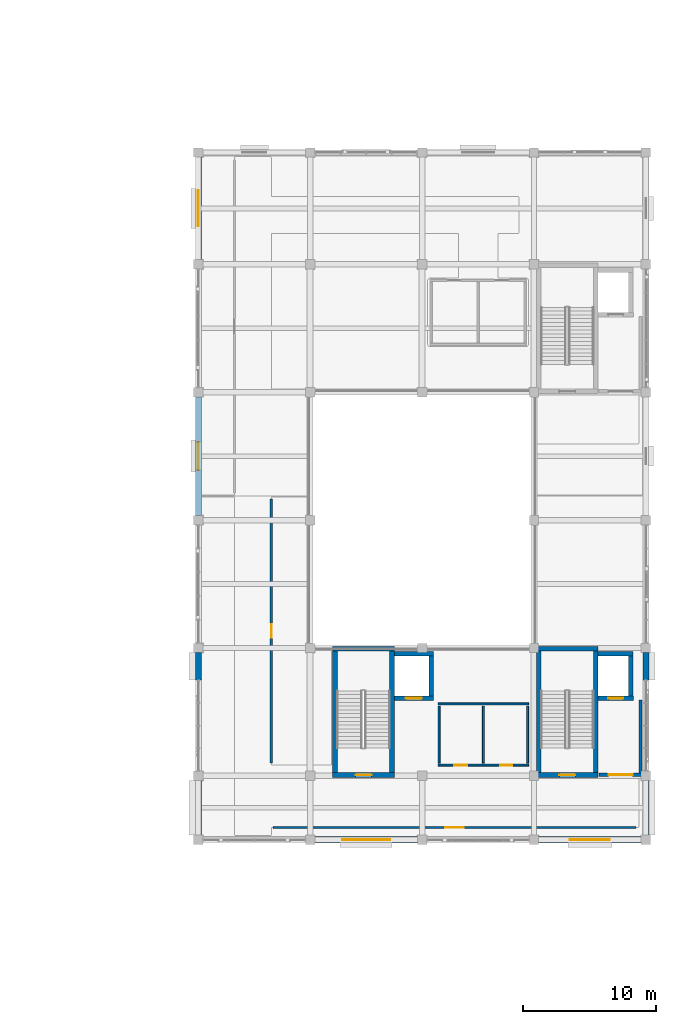
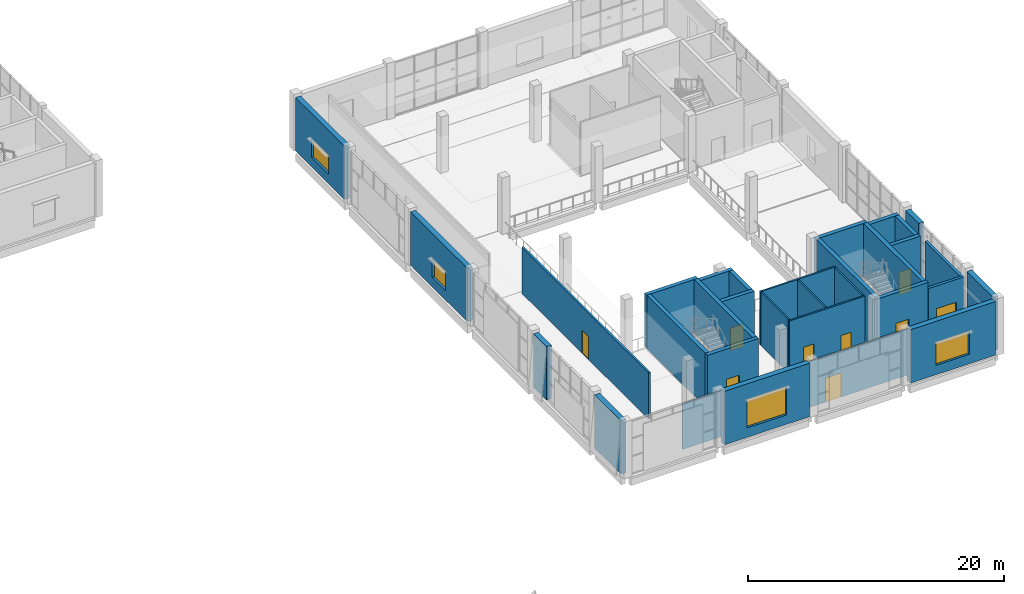
# One storey, part 50 of 72: 31 walls, 9 doors, 4 windows, 13 openings.
"""IFC4 building model written with IfcOpenShell, lengths in metres."""

import ifcopenshell
import ifcopenshell.guid

model = None  # the IFC model being written
_history = None  # IfcOwnerHistory: only IFC2X3 demands one
_inside = {}  # id of a spatial element -> (the spatial element, [elements in it])
_under = {}  # id of a project, library or spatial element -> (it, [spatial elements below it])
_declared = {}  # id of a project -> (the project, [libraries it declares])
_typed = {}  # id of a type object -> (the type object, [elements of that type])
_made_of = {}  # id of a material, layer set ... -> (it, [elements and type objects made of it])


def new_model(schema):
    """Start an empty IFC model of exactly this schema.

    Asked for "IFC4X3", IfcOpenShell would pick the latest addendum, in which some entities
    have other attributes; the version numbers below select the first issue.
    IFC2X3 requires an IfcOwnerHistory on every rooted entity: one is made here for all.
    """
    global model, _history
    if schema == "IFC4X3":
        model = ifcopenshell.file(schema_version=(4, 3, 0, 0))
    else:
        model = ifcopenshell.file(schema=schema)
    _inside.clear()
    _under.clear()
    _declared.clear()
    _typed.clear()
    _made_of.clear()
    _history = None
    if model.schema == "IFC2X3":
        org = make("IfcOrganization", Name="unknown")
        user = make(
            "IfcPersonAndOrganization",
            ThePerson=make("IfcPerson", FamilyName="unknown"),
            TheOrganization=org,
        )
        app = make(
            "IfcApplication",
            ApplicationDeveloper=org,
            Version="unknown",
            ApplicationFullName="unknown",
            ApplicationIdentifier="unknown",
        )
        _history = make(
            "IfcOwnerHistory",
            OwningUser=user,
            OwningApplication=app,
            ChangeAction="ADDED",
            CreationDate=0,
        )
    return model


def make(cls, **values):
    """One entity of the class cls with the attributes given. An attribute that is None is left unset."""
    return model.create_entity(
        cls, **{name: value for name, value in values.items() if value is not None}
    )


def rooted(cls, **values):
    """An entity with a GlobalId (a new one), such as an element, a storey or a relation."""
    return make(cls, GlobalId=ifcopenshell.guid.new(), OwnerHistory=_history, **values)


def si_unit(unit_type, name, prefix=None):
    """IfcSIUnit, for example si_unit("LENGTHUNIT", "METRE", prefix="MILLI")."""
    return make("IfcSIUnit", UnitType=unit_type, Prefix=prefix, Name=name)


def assignment(units):
    """IfcUnitAssignment: the units of a project."""
    return None if units is None else make("IfcUnitAssignment", Units=units)


def point(xyz):
    """IfcCartesianPoint."""
    return None if xyz is None else make("IfcCartesianPoint", Coordinates=xyz)


def direction(xyz):
    """IfcDirection."""
    return None if xyz is None else make("IfcDirection", DirectionRatios=xyz)


def frame(location, z_axis=None, x_axis=None):
    """IfcAxis2Placement3D, a coordinate frame: its origin and axes. An axis left out is left unset."""
    return make(
        "IfcAxis2Placement3D",
        Location=point(location),
        Axis=direction(z_axis),
        RefDirection=direction(x_axis),
    )


def frame_2d(location, x_axis=None):
    """IfcAxis2Placement2D, a coordinate frame in the plane: its origin and x axis."""
    return make(
        "IfcAxis2Placement2D", Location=point(location), RefDirection=direction(x_axis)
    )


def origin():
    """The frame at (0, 0, 0) with its axes left unset."""
    return frame((0.0, 0.0, 0.0))


def place(relative_to, where):
    """IfcLocalPlacement: puts the frame where relative to a parent placement (None: the world)."""
    return make(
        "IfcLocalPlacement", PlacementRelTo=relative_to, RelativePlacement=where
    )


def context(
    kind, dimensions, precision=None, world=None, true_north=None, identifier=None
):
    """IfcGeometricRepresentationContext, for example the 3D "Model" context."""
    return make(
        "IfcGeometricRepresentationContext",
        ContextIdentifier=identifier,
        ContextType=kind,
        CoordinateSpaceDimension=dimensions,
        Precision=precision,
        WorldCoordinateSystem=world,
        TrueNorth=true_north,
    )


def subcontext(parent, identifier, kind, view, scale=None):
    """IfcGeometricRepresentationSubContext, for example "Body" below "Model"."""
    return make(
        "IfcGeometricRepresentationSubContext",
        ContextIdentifier=identifier,
        ContextType=kind,
        ParentContext=parent,
        TargetScale=scale,
        TargetView=view,
    )


def project(units=None, contexts=None):
    """IfcProject with its units and contexts."""
    return rooted(
        "IfcProject",
        Name="project",
        RepresentationContexts=contexts,
        UnitsInContext=assignment(units),
    )


def spatial(cls, under=None, at=None, **own):
    """A site, building, storey or space (cls), placed at a placement, below another one or the project."""
    s = rooted(cls, ObjectPlacement=at, **own)
    if under is not None:
        _under.setdefault(under.id(), (under, []))[1].append(s)
    return s


def profile(cls, at=None, kind="AREA", **sizes):
    """A parametric profile (cls). Its sizes go by their IFC names, for example OverallWidth=200.0."""
    return make(cls, ProfileType=kind, Position=at, **sizes)


def rectangle(**sizes):
    """IfcRectangleProfileDef."""
    return profile("IfcRectangleProfileDef", **sizes)


def extrude(swept, where, along, depth):
    """IfcExtrudedAreaSolid: the profile swept, set in the frame where, extruded along a direction by depth."""
    return make(
        "IfcExtrudedAreaSolid",
        SweptArea=swept,
        Position=where,
        ExtrudedDirection=direction(along),
        Depth=depth,
    )


def shape(context_of_items, identifier, shape_type, items):
    """IfcShapeRepresentation: the items that make up one representation, for example the "Body"."""
    return make(
        "IfcShapeRepresentation",
        ContextOfItems=context_of_items,
        RepresentationIdentifier=identifier,
        RepresentationType=shape_type,
        Items=items,
    )


def material(Name=None, Category=None):
    """IfcMaterial."""
    return make("IfcMaterial", Name=Name, Category=Category)


def layer(
    of_material, thickness, ventilated=None, Name=None, Category=None, Priority=None
):
    """IfcMaterialLayer: one layer of a wall or slab, of a material (None: an air gap)."""
    return make(
        "IfcMaterialLayer",
        Material=of_material,
        LayerThickness=thickness,
        IsVentilated=ventilated,
        Name=Name,
        Category=Category,
        Priority=Priority,
    )


def layer_set(layers, Name=None):
    """IfcMaterialLayerSet."""
    return make("IfcMaterialLayerSet", MaterialLayers=layers, LayerSetName=Name)


def made_of(thing, what):
    """Note that an element or type object is made of a material, layer set ...; save() writes the relation."""
    if what is not None:
        _made_of.setdefault(what.id(), (what, []))[1].append(thing)
    return thing


def type_object(cls, material=None, **own):
    """A type object (cls), such as IfcWallType, which elements share."""
    return made_of(rooted(cls, **own), material)


def element(
    cls,
    number,
    at=None,
    inside=None,
    cuts=None,
    type_object=None,
    material=None,
    context=None,
    identifier="Body",
    shape_type=None,
    held_by="IfcProductDefinitionShape",
    body=None,
    shapes=None,
    **own,
):
    """One element of the class cls, such as IfcWall. Its Tag is "e" and its number.

    at: its placement. inside: the storey or other place that contains it. cuts: it is an
    opening in that element (IfcRelVoidsElement). A single representation is given by context,
    identifier, shape_type and body (its items); several are given by shapes. held_by: the class
    of the entity that holds the representations. save() writes the other relations.
    """
    e = rooted(cls, Tag="e%d" % number, ObjectPlacement=at, **own)
    if body is not None:
        shapes = [shape(context, identifier, shape_type, body)]
    if shapes is not None:
        e.Representation = make(held_by, Representations=shapes)
    if inside is not None:
        _inside.setdefault(inside.id(), (inside, []))[1].append(e)
    if cuts is not None:
        rooted(
            "IfcRelVoidsElement", RelatingBuildingElement=cuts, RelatedOpeningElement=e
        )
    if type_object is not None:
        _typed.setdefault(type_object.id(), (type_object, []))[1].append(e)
    return made_of(e, material)


def fill(opening, filler):
    """IfcRelFillsElement: the door or window that sits in an opening."""
    return rooted(
        "IfcRelFillsElement",
        RelatingOpeningElement=opening,
        RelatedBuildingElement=filler,
    )


def aggregate(whole, parts):
    """IfcRelAggregates: a whole, such as a stair, and the parts it consists of."""
    return rooted("IfcRelAggregates", RelatingObject=whole, RelatedObjects=parts)


def save(model, path):
    """Write the relations noted so far, then the file.

    IfcRelAggregates (storeys below a building ...), IfcRelContainedInSpatialStructure (elements
    in a storey), IfcRelDefinesByType, IfcRelAssociatesMaterial and IfcRelDeclares: one each for
    every whole, place, type object, material and project.
    """
    for whole, parts in _under.values():
        aggregate(whole, parts)
    for where, things in _inside.values():
        rooted(
            "IfcRelContainedInSpatialStructure",
            RelatedElements=things,
            RelatingStructure=where,
        )
    for kind, things in _typed.values():
        rooted("IfcRelDefinesByType", RelatedObjects=things, RelatingType=kind)
    for what, things in _made_of.values():
        rooted("IfcRelAssociatesMaterial", RelatedObjects=things, RelatingMaterial=what)
    for by, libraries in _declared.values():
        rooted("IfcRelDeclares", RelatingContext=by, RelatedDefinitions=libraries)
    model.write(path)


model = new_model("IFC4")

# Units and contexts
model_context = context("Model", 3, precision=1e-05, world=origin(), true_north=direction((0.0, 1.0)))
body_context = subcontext(model_context, "Body", "Model", "MODEL_VIEW")
ifc_project = project(units=[si_unit("LENGTHUNIT", "METRE"), si_unit("AREAUNIT", "SQUARE_METRE"), si_unit("VOLUMEUNIT", "CUBIC_METRE"), si_unit("PLANEANGLEUNIT", "RADIAN"), si_unit("MASSUNIT", "GRAM", prefix="KILO")], contexts=[model_context])

# Site, building, storey
site_placement = place(None, origin())
site = spatial("IfcSite", under=ifc_project, at=site_placement, CompositionType="ELEMENT")
building_placement = place(site_placement, origin())
building = spatial("IfcBuilding", under=site, at=building_placement, Name="Shalvenor Court Art Gallery", CompositionType="ELEMENT")
storey_placement = place(building_placement, frame((0.0, 0.0, 11.39990234375)))
storey = spatial("IfcBuildingStorey", under=building, at=storey_placement, Name="L02", CompositionType="ELEMENT", Elevation=11.39990234375)

# Walls
ifc_material_1 = material(Name="Concrete C40/50", Category="concrete")
ifc_layer_1 = layer(ifc_material_1, 0.35009765625, Name="Concrete C40/50")
ifc_layer_set_1 = layer_set([ifc_layer_1], Name="Concrete C40/50")
wall_type_1 = type_object("IfcWallType", Name="CW-W1", PredefinedType="SHEAR", material=ifc_layer_set_1)
wall_1_placement = place(storey_placement, frame((168.18798828125, 59.93701171875, 0.0), z_axis=(0.0, 0.0, 1.0), x_axis=(1.0, 0.0, 0.0)))
element("IfcWall", 1, at=wall_1_placement, inside=storey, type_object=wall_type_1, Name="L02 C2 Stair Core Shear Wall N", PredefinedType="SHEAR", context=body_context, shape_type="SweptSolid", body=[
    extrude(rectangle(XDim=4.6240234375, YDim=0.35009765625, at=frame_2d((2.31201171875, 0.0))), origin(), (0.0, 0.0, 1.0), 5.10009765625),
])
wall_2_placement = place(storey_placement, frame((172.636962890625, 59.761962890625, 0.0), z_axis=(0.0, 0.0, 1.0), x_axis=(0.0, -1.0, 0.0)))
element("IfcWall", 2, at=wall_2_placement, inside=storey, type_object=wall_type_1, Name="L02 C2 Stair Core Shear Wall E", PredefinedType="SHEAR", context=body_context, shape_type="SweptSolid", body=[
    extrude(rectangle(XDim=9.1240234375, YDim=0.35009765625, at=frame_2d((4.56201171875, 0.0))), origin(), (0.0, 0.0, 1.0), 5.10009765625),
])

# Wall, opening, door
wall_3_placement = place(storey_placement, frame((172.81201171875, 50.462890625, 0.0), z_axis=(0.0, 0.0, 1.0), x_axis=(-1.0, 0.0, 0.0)))
wall_3 = element("IfcWall", 3, at=wall_3_placement, inside=storey, type_object=wall_type_1, Name="L02 C2 Stair Core Shear Wall S", PredefinedType="SHEAR", context=body_context, shape_type="SweptSolid", body=[
    extrude(rectangle(XDim=4.6240234375, YDim=0.35009765625, at=frame_2d((2.31201171875, 0.0))), origin(), (0.0, 0.0, 1.0), 5.10009765625),
])
opening_1_placement = place(wall_3_placement, frame((1.7119140625, 0.0, 0.0)))
opening_1 = element("IfcOpeningElement", 4, at=opening_1_placement, cuts=wall_3, Name="Opening FD-01", PredefinedType="OPENING", context=body_context, shape_type="SweptSolid", body=[
    extrude(rectangle(XDim=1.199951171875, YDim=2.199951171875, at=frame_2d((0.60009765625, 1.10009765625))), frame((0.0, 0.18505859375, 0.0), z_axis=(0.0, -1.0, 0.0), x_axis=(1.0, 0.0, 0.0)), (0.0, 0.0, 1.0), 0.3701171875),
])
ifc_material_2 = material(Name="Fire-rated steel stair doorset", Category="steel")
door_type_1 = type_object("IfcDoorType", Name="FD-01", OperationType="NOTDEFINED", PredefinedType="DOOR", material=ifc_material_2)
door_1_placement = place(opening_1_placement, origin())
door_1 = element("IfcDoor", 5, at=door_1_placement, inside=storey, type_object=door_type_1, Name="DR-ST-L02-C2 L02 ST-02 Fire Stair Door", OperationType="SINGLE_SWING_RIGHT", OverallHeight=2.199951171875, OverallWidth=1.199951171875, PredefinedType="DOOR", context=body_context, shape_type="SweptSolid", body=[
    extrude(rectangle(XDim=1.199951171875, YDim=2.199951171875, at=frame_2d((0.60009765625, 1.10009765625))), frame((0.0, 0.02490234375, 0.0), z_axis=(0.0, -1.0, 0.0), x_axis=(1.0, 0.0, 0.0)), (0.0, 0.0, 1.0), 0.050048828125),
])
fill(opening_1, door_1)

# Walls
wall_4_placement = place(storey_placement, frame((168.363037109375, 50.637939453125, 0.0), z_axis=(0.0, 0.0, 1.0), x_axis=(0.0, 1.0, 0.0)))
element("IfcWall", 6, at=wall_4_placement, inside=storey, type_object=wall_type_1, Name="L02 C2 Stair Core Shear Wall W", PredefinedType="SHEAR", context=body_context, shape_type="SweptSolid", body=[
    extrude(rectangle(XDim=9.1240234375, YDim=0.35009765625, at=frame_2d((4.56201171875, 0.0))), origin(), (0.0, 0.0, 1.0), 5.10009765625),
])
wall_5_placement = place(storey_placement, frame((172.81201171875, 59.574951171875, 0.0), z_axis=(0.0, 0.0, 1.0), x_axis=(1.0, 0.0, 0.0)))
element("IfcWall", 7, at=wall_5_placement, inside=storey, type_object=wall_type_1, Name="L02 FL-02 Lift Shaft Wall N", PredefinedType="SHEAR", context=body_context, shape_type="SweptSolid", body=[
    extrude(rectangle(XDim=2.637939453125, YDim=0.35009765625, at=frame_2d((1.31884765625, 0.0))), origin(), (0.0, 0.0, 1.0), 5.10009765625),
])
wall_6_placement = place(storey_placement, frame((175.27490234375, 59.39990234375, 0.0), z_axis=(0.0, 0.0, 1.0), x_axis=(0.0, -1.0, 0.0)))
element("IfcWall", 8, at=wall_6_placement, inside=storey, type_object=wall_type_1, Name="L02 FL-02 Lift Shaft Wall E", PredefinedType="SHEAR", context=body_context, shape_type="SweptSolid", body=[
    extrude(rectangle(XDim=3.0, YDim=0.35009765625, at=frame_2d((1.5, 0.0))), origin(), (0.0, 0.0, 1.0), 5.10009765625),
])

# Wall, opening, door
wall_7_placement = place(storey_placement, frame((175.449951171875, 56.22509765625, 0.0), z_axis=(0.0, 0.0, 1.0), x_axis=(-1.0, 0.0, 0.0)))
wall_7 = element("IfcWall", 9, at=wall_7_placement, inside=storey, type_object=wall_type_1, Name="L02 FL-02 Lift Shaft Wall S", PredefinedType="SHEAR", context=body_context, shape_type="SweptSolid", body=[
    extrude(rectangle(XDim=2.637939453125, YDim=0.35009765625, at=frame_2d((1.31884765625, 0.0))), origin(), (0.0, 0.0, 1.0), 5.10009765625),
])
opening_2_placement = place(wall_7_placement, frame((0.76904296875, 0.0, 0.0)))
opening_2 = element("IfcOpeningElement", 10, at=opening_2_placement, cuts=wall_7, Name="Opening LD-01", PredefinedType="OPENING", context=body_context, shape_type="SweptSolid", body=[
    extrude(rectangle(XDim=1.10009765625, YDim=2.199951171875, at=frame_2d((0.550048828125, 1.10009765625))), frame((0.0, 0.18505859375, 0.0), z_axis=(0.0, -1.0, 0.0), x_axis=(1.0, 0.0, 0.0)), (0.0, 0.0, 1.0), 0.3701171875),
])
ifc_material_3 = material(Name="Stainless steel firefighting lift sliding landing door", Category="steel")
door_type_2 = type_object("IfcDoorType", Name="LD-01", OperationType="NOTDEFINED", PredefinedType="DOOR", material=ifc_material_3)
door_2_placement = place(opening_2_placement, origin())
door_2 = element("IfcDoor", 11, at=door_2_placement, inside=storey, type_object=door_type_2, Name="DR-LD-L02-FL-02 L02 FL-02 Lift Landing Sliding Door", OperationType="DOUBLE_DOOR_SLIDING", OverallHeight=2.199951171875, OverallWidth=1.10009765625, PredefinedType="DOOR", context=body_context, shape_type="SweptSolid", body=[
    extrude(rectangle(XDim=1.10009765625, YDim=2.199951171875, at=frame_2d((0.550048828125, 1.10009765625))), frame((0.0, 0.02490234375, 0.0), z_axis=(0.0, -1.0, 0.0), x_axis=(1.0, 0.0, 0.0)), (0.0, 0.0, 1.0), 0.050048828125),
])
fill(opening_2, door_2)

# Walls
wall_8_placement = place(storey_placement, frame((152.887939453125, 59.93701171875, 0.0), z_axis=(0.0, 0.0, 1.0), x_axis=(1.0, 0.0, 0.0)))
element("IfcWall", 12, at=wall_8_placement, inside=storey, type_object=wall_type_1, Name="L02 C3 Stair Core Shear Wall N", PredefinedType="SHEAR", context=body_context, shape_type="SweptSolid", body=[
    extrude(rectangle(XDim=4.6240234375, YDim=0.35009765625, at=frame_2d((2.31201171875, 0.0))), origin(), (0.0, 0.0, 1.0), 5.10009765625),
])
wall_9_placement = place(storey_placement, frame((157.3369140625, 59.761962890625, 0.0), z_axis=(0.0, 0.0, 1.0), x_axis=(0.0, -1.0, 0.0)))
element("IfcWall", 13, at=wall_9_placement, inside=storey, type_object=wall_type_1, Name="L02 C3 Stair Core Shear Wall E", PredefinedType="SHEAR", context=body_context, shape_type="SweptSolid", body=[
    extrude(rectangle(XDim=9.1240234375, YDim=0.35009765625, at=frame_2d((4.56201171875, 0.0))), origin(), (0.0, 0.0, 1.0), 5.10009765625),
])

# Wall, opening, door
wall_10_placement = place(storey_placement, frame((157.511962890625, 50.462890625, 0.0), z_axis=(0.0, 0.0, 1.0), x_axis=(-1.0, 0.0, 0.0)))
wall_10 = element("IfcWall", 14, at=wall_10_placement, inside=storey, type_object=wall_type_1, Name="L02 C3 Stair Core Shear Wall S", PredefinedType="SHEAR", context=body_context, shape_type="SweptSolid", body=[
    extrude(rectangle(XDim=4.6240234375, YDim=0.35009765625, at=frame_2d((2.31201171875, 0.0))), origin(), (0.0, 0.0, 1.0), 5.10009765625),
])
opening_3_placement = place(wall_10_placement, frame((1.7119140625, 0.0, 0.0)))
opening_3 = element("IfcOpeningElement", 15, at=opening_3_placement, cuts=wall_10, Name="Opening FD-01", PredefinedType="OPENING", context=body_context, shape_type="SweptSolid", body=[
    extrude(rectangle(XDim=1.199951171875, YDim=2.199951171875, at=frame_2d((0.60009765625, 1.10009765625))), frame((0.0, 0.18505859375, 0.0), z_axis=(0.0, -1.0, 0.0), x_axis=(1.0, 0.0, 0.0)), (0.0, 0.0, 1.0), 0.3701171875),
])
door_3_placement = place(opening_3_placement, origin())
door_3 = element("IfcDoor", 16, at=door_3_placement, inside=storey, type_object=door_type_1, Name="DR-ST-L02-C3 L02 ST-03 Fire Stair Door", OperationType="SINGLE_SWING_LEFT", OverallHeight=2.199951171875, OverallWidth=1.199951171875, PredefinedType="DOOR", context=body_context, shape_type="SweptSolid", body=[
    extrude(rectangle(XDim=1.199951171875, YDim=2.199951171875, at=frame_2d((0.60009765625, 1.10009765625))), frame((0.0, 0.02490234375, 0.0), z_axis=(0.0, -1.0, 0.0), x_axis=(1.0, 0.0, 0.0)), (0.0, 0.0, 1.0), 0.050048828125),
])
fill(opening_3, door_3)

# Walls
wall_11_placement = place(storey_placement, frame((153.06298828125, 50.637939453125, 0.0), z_axis=(0.0, 0.0, 1.0), x_axis=(0.0, 1.0, 0.0)))
element("IfcWall", 17, at=wall_11_placement, inside=storey, type_object=wall_type_1, Name="L02 C3 Stair Core Shear Wall W", PredefinedType="SHEAR", context=body_context, shape_type="SweptSolid", body=[
    extrude(rectangle(XDim=9.1240234375, YDim=0.35009765625, at=frame_2d((4.56201171875, 0.0))), origin(), (0.0, 0.0, 1.0), 5.10009765625),
])
wall_12_placement = place(storey_placement, frame((157.511962890625, 59.574951171875, 0.0), z_axis=(0.0, 0.0, 1.0), x_axis=(1.0, 0.0, 0.0)))
element("IfcWall", 18, at=wall_12_placement, inside=storey, type_object=wall_type_1, Name="L02 PL-01 Lift Shaft Wall N", PredefinedType="SHEAR", context=body_context, shape_type="SweptSolid", body=[
    extrude(rectangle(XDim=2.93798828125, YDim=0.35009765625, at=frame_2d((1.468994140625, 0.0))), origin(), (0.0, 0.0, 1.0), 5.10009765625),
])
wall_13_placement = place(storey_placement, frame((160.27490234375, 59.39990234375, 0.0), z_axis=(0.0, 0.0, 1.0), x_axis=(0.0, -1.0, 0.0)))
element("IfcWall", 19, at=wall_13_placement, inside=storey, type_object=wall_type_1, Name="L02 PL-01 Lift Shaft Wall E", PredefinedType="SHEAR", context=body_context, shape_type="SweptSolid", body=[
    extrude(rectangle(XDim=3.0, YDim=0.35009765625, at=frame_2d((1.5, 0.0))), origin(), (0.0, 0.0, 1.0), 5.10009765625),
])

# Wall, opening, door
wall_14_placement = place(storey_placement, frame((160.449951171875, 56.22509765625, 0.0), z_axis=(0.0, 0.0, 1.0), x_axis=(-1.0, 0.0, 0.0)))
wall_14 = element("IfcWall", 20, at=wall_14_placement, inside=storey, type_object=wall_type_1, Name="L02 PL-01 Lift Shaft Wall S", PredefinedType="SHEAR", context=body_context, shape_type="SweptSolid", body=[
    extrude(rectangle(XDim=2.93798828125, YDim=0.35009765625, at=frame_2d((1.468994140625, 0.0))), origin(), (0.0, 0.0, 1.0), 5.10009765625),
])
opening_4_placement = place(wall_14_placement, frame((0.868896484375, 0.0, 0.0)))
opening_4 = element("IfcOpeningElement", 21, at=opening_4_placement, cuts=wall_14, Name="Opening LD-02", PredefinedType="OPENING", context=body_context, shape_type="SweptSolid", body=[
    extrude(rectangle(XDim=1.199951171875, YDim=2.199951171875, at=frame_2d((0.60009765625, 1.10009765625))), frame((0.0, 0.18505859375, 0.0), z_axis=(0.0, -1.0, 0.0), x_axis=(1.0, 0.0, 0.0)), (0.0, 0.0, 1.0), 0.3701171875),
])
ifc_material_4 = material(Name="Brushed stainless passenger lift sliding landing door", Category="steel")
door_type_3 = type_object("IfcDoorType", Name="LD-02", OperationType="NOTDEFINED", PredefinedType="DOOR", material=ifc_material_4)
door_4_placement = place(opening_4_placement, origin())
door_4 = element("IfcDoor", 22, at=door_4_placement, inside=storey, type_object=door_type_3, Name="DR-LD-L02-PL-01 L02 PL-01 Lift Landing Sliding Door", OperationType="DOUBLE_DOOR_SLIDING", OverallHeight=2.199951171875, OverallWidth=1.199951171875, PredefinedType="DOOR", context=body_context, shape_type="SweptSolid", body=[
    extrude(rectangle(XDim=1.199951171875, YDim=2.199951171875, at=frame_2d((0.60009765625, 1.10009765625))), frame((0.0, 0.02490234375, 0.0), z_axis=(0.0, -1.0, 0.0), x_axis=(1.0, 0.0, 0.0)), (0.0, 0.0, 1.0), 0.050048828125),
])
fill(opening_4, door_4)

# Walls
ifc_material_5 = material(Name="Concrete C40/50", Category="concrete")
ifc_layer_2 = layer(ifc_material_5, 0.4599609375, Name="Concrete C40/50")
ifc_layer_set_2 = layer_set([ifc_layer_2], Name="Concrete C40/50")
wall_type_2 = type_object("IfcWallType", Name="EW-01", PredefinedType="SOLIDWALL", material=ifc_layer_set_2)
wall_15_placement = place(storey_placement, frame((176.39990234375, 59.64990234375, 0.0), z_axis=(0.0, 0.0, 1.0), x_axis=(0.0, -1.0, 0.0)))
element("IfcWall", 23, at=wall_15_placement, inside=storey, type_object=wall_type_2, Name="L02 V1 Exterior Wall WL-L02-0066", PredefinedType="SOLIDWALL", context=body_context, shape_type="SweptSolid", body=[
    extrude(rectangle(XDim=2.0498046875, YDim=0.4599609375, at=frame_2d((1.02490234375, 0.0))), origin(), (0.0, 0.0, 1.0), 5.10009765625),
])
wall_16_placement = place(storey_placement, frame((176.39990234375, 50.050048828125, 0.0), z_axis=(0.0, 0.0, 1.0), x_axis=(0.0, -1.0, 0.0)))
element("IfcWall", 24, at=wall_16_placement, inside=storey, type_object=wall_type_2, Name="L02 V1 Exterior Wall WL-L02-0067", PredefinedType="SOLIDWALL", context=body_context, shape_type="SweptSolid", body=[
    extrude(rectangle(XDim=4.10009765625, YDim=0.4599609375, at=frame_2d((2.050048828125, 0.0))), origin(), (0.0, 0.0, 1.0), 5.10009765625),
])

# Wall, opening, window
wall_17_placement = place(storey_placement, frame((176.050048828125, 45.60009765625, 0.0), z_axis=(0.0, 0.0, 1.0), x_axis=(-1.0, 0.0, 0.0)))
wall_17 = element("IfcWall", 25, at=wall_17_placement, inside=storey, type_object=wall_type_2, Name="L02 V1 Exterior Wall WL-L02-0068", PredefinedType="SOLIDWALL", context=body_context, shape_type="SweptSolid", body=[
    extrude(rectangle(XDim=7.699951171875, YDim=0.4599609375, at=frame_2d((3.85009765625, 0.0))), origin(), (0.0, 0.0, 1.0), 5.10009765625),
])
opening_5_placement = place(wall_17_placement, frame((2.35009765625, 0.0, 0.89990234375)))
opening_5 = element("IfcOpeningElement", 26, at=opening_5_placement, cuts=wall_17, Name="Opening WN-09", PredefinedType="OPENING", context=body_context, shape_type="SweptSolid", body=[
    extrude(rectangle(XDim=3.0, YDim=2.199951171875, at=frame_2d((1.5, 1.10009765625))), frame((0.0, 0.239990234375, 0.0), z_axis=(0.0, -1.0, 0.0), x_axis=(1.0, 0.0, 0.0)), (0.0, 0.0, 1.0), 0.47998046875),
])
ifc_material_6 = material(Name="North-light conservation clear IGU", Category="glass")
window_type_1 = type_object("IfcWindowType", Name="WN-09", PartitioningType="SINGLE_PANEL", PredefinedType="WINDOW", material=ifc_material_6)
window_1_placement = place(opening_5_placement, origin())
window_1 = element("IfcWindow", 27, at=window_1_placement, inside=storey, type_object=window_type_1, Name="L02 Window WIN-L02-0009", OverallHeight=2.199951171875, OverallWidth=3.0, PartitioningType="SINGLE_PANEL", PredefinedType="WINDOW", context=body_context, shape_type="SweptSolid", body=[
    extrude(rectangle(XDim=3.0, YDim=2.199951171875, at=frame_2d((1.5, 1.10009765625))), frame((0.0, 0.030029296875, 0.0), z_axis=(0.0, -1.0, 0.0), x_axis=(1.0, 0.0, 0.0)), (0.0, 0.0, 1.0), 0.06005859375),
])
fill(opening_5, window_1)

wall_18_placement = place(storey_placement, frame((159.25, 45.60009765625, 0.0), z_axis=(0.0, 0.0, 1.0), x_axis=(-1.0, 0.0, 0.0)))
wall_18 = element("IfcWall", 28, at=wall_18_placement, inside=storey, type_object=wall_type_2, Name="L02 V1 Exterior Wall WL-L02-0069", PredefinedType="SOLIDWALL", context=body_context, shape_type="SweptSolid", body=[
    extrude(rectangle(XDim=7.699951171875, YDim=0.4599609375, at=frame_2d((3.85009765625, 0.0))), origin(), (0.0, 0.0, 1.0), 5.10009765625),
])
opening_6_placement = place(wall_18_placement, frame((2.050048828125, 0.0, 0.89990234375)))
opening_6 = element("IfcOpeningElement", 29, at=opening_6_placement, cuts=wall_18, Name="Opening WN-10", PredefinedType="OPENING", context=body_context, shape_type="SweptSolid", body=[
    extrude(rectangle(XDim=3.60009765625, YDim=2.699951171875, at=frame_2d((1.800048828125, 1.35009765625))), frame((0.0, 0.239990234375, 0.0), z_axis=(0.0, -1.0, 0.0), x_axis=(1.0, 0.0, 0.0)), (0.0, 0.0, 1.0), 0.47998046875),
])
ifc_material_7 = material(Name="North-light conservation clear IGU", Category="glass")
window_type_2 = type_object("IfcWindowType", Name="WN-10", PartitioningType="SINGLE_PANEL", PredefinedType="WINDOW", material=ifc_material_7)
window_2_placement = place(opening_6_placement, origin())
window_2 = element("IfcWindow", 30, at=window_2_placement, inside=storey, type_object=window_type_2, Name="L02 Window WIN-L02-0010", OverallHeight=2.699951171875, OverallWidth=3.60009765625, PartitioningType="SINGLE_PANEL", PredefinedType="WINDOW", context=body_context, shape_type="SweptSolid", body=[
    extrude(rectangle(XDim=3.60009765625, YDim=2.699951171875, at=frame_2d((1.800048828125, 1.35009765625))), frame((0.0, 0.030029296875, 0.0), z_axis=(0.0, -1.0, 0.0), x_axis=(1.0, 0.0, 0.0)), (0.0, 0.0, 1.0), 0.06005859375),
])
fill(opening_6, window_2)

# Walls
wall_19_placement = place(storey_placement, frame((142.800048828125, 45.949951171875, 0.0), z_axis=(0.0, 0.0, 1.0), x_axis=(0.0, 1.0, 0.0)))
element("IfcWall", 31, at=wall_19_placement, inside=storey, type_object=wall_type_2, Name="L02 V1 Exterior Wall WL-L02-0070", PredefinedType="SOLIDWALL", context=body_context, shape_type="SweptSolid", body=[
    extrude(rectangle(XDim=4.10009765625, YDim=0.4599609375, at=frame_2d((2.050048828125, 0.0))), origin(), (0.0, 0.0, 1.0), 5.10009765625),
])
wall_20_placement = place(storey_placement, frame((142.800048828125, 57.60009765625, 0.0), z_axis=(0.0, 0.0, 1.0), x_axis=(0.0, 1.0, 0.0)))
element("IfcWall", 32, at=wall_20_placement, inside=storey, type_object=wall_type_2, Name="L02 V1 Exterior Wall WL-L02-0071", PredefinedType="SOLIDWALL", context=body_context, shape_type="SweptSolid", body=[
    extrude(rectangle(XDim=2.0498046875, YDim=0.4599609375, at=frame_2d((1.02490234375, 0.0))), origin(), (0.0, 0.0, 1.0), 5.10009765625),
])

# Wall, opening, window
wall_21_placement = place(storey_placement, frame((142.800048828125, 69.949951171875, 0.0), z_axis=(0.0, 0.0, 1.0), x_axis=(0.0, 1.0, 0.0)))
wall_21 = element("IfcWall", 33, at=wall_21_placement, inside=storey, type_object=wall_type_2, Name="L02 V1 Exterior Wall WL-L02-0072", PredefinedType="SOLIDWALL", context=body_context, shape_type="SweptSolid", body=[
    extrude(rectangle(XDim=8.900146484375, YDim=0.4599609375, at=frame_2d((4.4501953125, 0.0))), origin(), (0.0, 0.0, 1.0), 5.10009765625),
])
opening_7_placement = place(wall_21_placement, frame((3.39990234375, 0.0, 0.89990234375)))
opening_7 = element("IfcOpeningElement", 34, at=opening_7_placement, cuts=wall_21, Name="Opening WN-11", PredefinedType="OPENING", context=body_context, shape_type="SweptSolid", body=[
    extrude(rectangle(XDim=2.10009765625, YDim=1.800048828125, at=frame_2d((1.050048828125, 0.89990234375))), frame((0.0, 0.239990234375, 0.0), z_axis=(0.0, -1.0, 0.0), x_axis=(1.0, 0.0, 0.0)), (0.0, 0.0, 1.0), 0.47998046875),
])
ifc_material_8 = material(Name="Acoustic laminated studio IGU", Category="glass")
window_type_3 = type_object("IfcWindowType", Name="WN-11", PartitioningType="SINGLE_PANEL", PredefinedType="WINDOW", material=ifc_material_8)
window_3_placement = place(opening_7_placement, origin())
window_3 = element("IfcWindow", 35, at=window_3_placement, inside=storey, type_object=window_type_3, Name="L02 Window WIN-L02-0011", OverallHeight=1.800048828125, OverallWidth=2.10009765625, PartitioningType="SINGLE_PANEL", PredefinedType="WINDOW", context=body_context, shape_type="SweptSolid", body=[
    extrude(rectangle(XDim=2.10009765625, YDim=1.800048828125, at=frame_2d((1.050048828125, 0.89990234375))), frame((0.0, 0.030029296875, 0.0), z_axis=(0.0, -1.0, 0.0), x_axis=(1.0, 0.0, 0.0)), (0.0, 0.0, 1.0), 0.06005859375),
])
fill(opening_7, window_3)

wall_22_placement = place(storey_placement, frame((142.800048828125, 89.14990234375, 0.0), z_axis=(0.0, 0.0, 1.0), x_axis=(0.0, 1.0, 0.0)))
wall_22 = element("IfcWall", 36, at=wall_22_placement, inside=storey, type_object=wall_type_2, Name="L02 V1 Exterior Wall WL-L02-0073", PredefinedType="SOLIDWALL", context=body_context, shape_type="SweptSolid", body=[
    extrude(rectangle(XDim=7.7001953125, YDim=0.4599609375, at=frame_2d((3.85009765625, 0.0))), origin(), (0.0, 0.0, 1.0), 5.10009765625),
])
opening_8_placement = place(wall_22_placement, frame((2.5, 0.0, 0.89990234375)))
opening_8 = element("IfcOpeningElement", 37, at=opening_8_placement, cuts=wall_22, Name="Opening WN-12", PredefinedType="OPENING", context=body_context, shape_type="SweptSolid", body=[
    extrude(rectangle(XDim=2.699951171875, YDim=1.800048828125, at=frame_2d((1.35009765625, 0.89990234375))), frame((0.0, 0.239990234375, 0.0), z_axis=(0.0, -1.0, 0.0), x_axis=(1.0, 0.0, 0.0)), (0.0, 0.0, 1.0), 0.47998046875),
])
ifc_material_9 = material(Name="Acoustic laminated studio IGU", Category="glass")
window_type_4 = type_object("IfcWindowType", Name="WN-12", PartitioningType="SINGLE_PANEL", PredefinedType="WINDOW", material=ifc_material_9)
window_4_placement = place(opening_8_placement, origin())
window_4 = element("IfcWindow", 38, at=window_4_placement, inside=storey, type_object=window_type_4, Name="L02 Window WIN-L02-0012", OverallHeight=1.800048828125, OverallWidth=2.699951171875, PartitioningType="SINGLE_PANEL", PredefinedType="WINDOW", context=body_context, shape_type="SweptSolid", body=[
    extrude(rectangle(XDim=2.699951171875, YDim=1.800048828125, at=frame_2d((1.35009765625, 0.89990234375))), frame((0.0, 0.030029296875, 0.0), z_axis=(0.0, -1.0, 0.0), x_axis=(1.0, 0.0, 0.0)), (0.0, 0.0, 1.0), 0.06005859375),
])
fill(opening_8, window_4)

# Wall
ifc_material_10 = material(Name="Concrete blockwork fire wall", Category="masonry")
ifc_layer_3 = layer(ifc_material_10, 0.239990234375, Name="Concrete blockwork fire wall")
ifc_layer_set_3 = layer_set([ifc_layer_3], Name="Concrete blockwork fire wall")
wall_type_3 = type_object("IfcWallType", Name="FW-01", PredefinedType="PARTITIONING", material=ifc_layer_set_3)
wall_23_placement = place(storey_placement, frame((176.0, 56.10009765625, 0.0), z_axis=(0.0, 0.0, 1.0), x_axis=(0.0, -1.0, 0.0)))
element("IfcWall", 39, at=wall_23_placement, inside=storey, type_object=wall_type_3, Name="L02 C2 Firefighting Lobby Wall E", PredefinedType="PARTITIONING", context=body_context, shape_type="SweptSolid", body=[
    extrude(rectangle(XDim=5.5, YDim=0.239990234375, at=frame_2d((2.75, 0.0))), origin(), (0.0, 0.0, 1.0), 4.425048828125),
])

# Wall, opening, door
wall_24_placement = place(storey_placement, frame((176.1201171875, 50.47998046875, 0.0), z_axis=(0.0, 0.0, 1.0), x_axis=(-1.0, 0.0, 0.0)))
wall_24 = element("IfcWall", 40, at=wall_24_placement, inside=storey, type_object=wall_type_3, Name="L02 C2 Firefighting Lobby Wall S", PredefinedType="PARTITIONING", context=body_context, shape_type="SweptSolid", body=[
    extrude(rectangle(XDim=3.25, YDim=0.239990234375, at=frame_2d((1.625, 0.0))), origin(), (0.0, 0.0, 1.0), 4.425048828125),
])
opening_9_placement = place(wall_24_placement, frame((0.72509765625, 0.0, 0.0)))
opening_9 = element("IfcOpeningElement", 41, at=opening_9_placement, cuts=wall_24, Name="Opening FD-02", PredefinedType="OPENING", context=body_context, shape_type="SweptSolid", body=[
    extrude(rectangle(XDim=1.800048828125, YDim=2.25, at=frame_2d((0.89990234375, 1.125))), frame((0.0, 0.1298828125, 0.0), z_axis=(0.0, -1.0, 0.0), x_axis=(1.0, 0.0, 0.0)), (0.0, 0.0, 1.0), 0.260009765625),
])
ifc_material_11 = material(Name="Fire-rated double lobby doorset", Category="steel")
door_type_4 = type_object("IfcDoorType", Name="FD-02", OperationType="NOTDEFINED", PredefinedType="DOOR", material=ifc_material_11)
door_5_placement = place(opening_9_placement, origin())
door_5 = element("IfcDoor", 42, at=door_5_placement, inside=storey, type_object=door_type_4, Name="DR-FFL-L02-C2 L02 C2 Firefighting Lobby Double Door", OperationType="DOUBLE_DOOR_SINGLE_SWING", OverallHeight=2.25, OverallWidth=1.800048828125, PredefinedType="DOOR", context=body_context, shape_type="SweptSolid", body=[
    extrude(rectangle(XDim=1.800048828125, YDim=2.25, at=frame_2d((0.89990234375, 1.125))), frame((0.0, 0.02490234375, 0.0), z_axis=(0.0, -1.0, 0.0), x_axis=(1.0, 0.0, 0.0)), (0.0, 0.0, 1.0), 0.050048828125),
])
fill(opening_9, door_5)

ifc_material_12 = material(Name="Plywood-backed acoustic art-hanging partition", Category="wood")
ifc_layer_4 = layer(ifc_material_12, 0.179931640625, Name="Plywood-backed acoustic art-hanging partition")
ifc_layer_set_4 = layer_set([ifc_layer_4], Name="Plywood-backed acoustic art-hanging partition")
wall_type_4 = type_object("IfcWallType", Name="PT-01", PredefinedType="PARTITIONING", material=ifc_layer_set_4)
wall_25_placement = place(storey_placement, frame((148.280029296875, 51.3798828125, 0.0), z_axis=(0.0, 0.0, 1.0), x_axis=(0.0, 1.0, 0.0)))
wall_25 = element("IfcWall", 43, at=wall_25_placement, inside=storey, type_object=wall_type_4, Name="L02 Permanent Painting Gallery Wing B Partition 641", PredefinedType="PARTITIONING", context=body_context, shape_type="SweptSolid", body=[
    extrude(rectangle(XDim=19.7900390625, YDim=0.179931640625, at=frame_2d((9.89501953125, 0.0))), origin(), (0.0, 0.0, 1.0), 4.425048828125),
])
opening_10_placement = place(wall_25_placement, frame((9.3701171875, 0.0, 0.0)))
opening_10 = element("IfcOpeningElement", 44, at=opening_10_placement, cuts=wall_25, Name="Opening ID-04", PredefinedType="OPENING", context=body_context, shape_type="SweptSolid", body=[
    extrude(rectangle(XDim=1.050048828125, YDim=2.199951171875, at=frame_2d((0.52490234375, 1.10009765625))), frame((0.0, 0.099853515625, 0.0), z_axis=(0.0, -1.0, 0.0), x_axis=(1.0, 0.0, 0.0)), (0.0, 0.0, 1.0), 0.199951171875),
])
ifc_material_13 = material(Name="Oak-veneered accessible room doorset", Category="wood")
door_type_5 = type_object("IfcDoorType", Name="ID-04", OperationType="NOTDEFINED", PredefinedType="DOOR", material=ifc_material_13)
door_6_placement = place(opening_10_placement, origin())
door_6 = element("IfcDoor", 45, at=door_6_placement, inside=storey, type_object=door_type_5, Name="DR-RM-L02-0172 L02 Permanent Painting Gallery Wing B Door", OperationType="SINGLE_SWING_RIGHT", OverallHeight=2.199951171875, OverallWidth=1.050048828125, PredefinedType="DOOR", context=body_context, shape_type="SweptSolid", body=[
    extrude(rectangle(XDim=1.050048828125, YDim=2.199951171875, at=frame_2d((0.52490234375, 1.10009765625))), frame((0.0, 0.02490234375, 0.0), z_axis=(0.0, -1.0, 0.0), x_axis=(1.0, 0.0, 0.0)), (0.0, 0.0, 1.0), 0.050048828125),
])
fill(opening_10, door_6)

# Wall, openings, doors
ifc_material_14 = material(Name="Moisture-resistant sanitary partition", Category="other")
ifc_layer_5 = layer(ifc_material_14, 0.14990234375, Name="Moisture-resistant sanitary partition")
ifc_layer_set_5 = layer_set([ifc_layer_5], Name="Moisture-resistant sanitary partition")
wall_type_5 = type_object("IfcWallType", Name="PT-03", PredefinedType="PARTITIONING", material=ifc_layer_set_5)
wall_26_placement = place(storey_placement, frame((167.60009765625, 51.199951171875, 0.0), z_axis=(0.0, 0.0, 1.0), x_axis=(-1.0, 0.0, 0.0)))
wall_26 = element("IfcWall", 46, at=wall_26_placement, inside=storey, type_object=wall_type_5, Name="L02 C2 Restroom Front Partition", PredefinedType="PARTITIONING", context=body_context, shape_type="SweptSolid", body=[
    extrude(rectangle(XDim=6.800048828125, YDim=0.14990234375, at=frame_2d((3.39990234375, 0.0))), origin(), (0.0, 0.0, 1.0), 5.10009765625),
])
opening_11_placement = place(wall_26_placement, frame((1.25, 0.0, 0.0)))
opening_11 = element("IfcOpeningElement", 47, at=opening_11_placement, cuts=wall_26, Name="Opening ID-07", PredefinedType="OPENING", context=body_context, shape_type="SweptSolid", body=[
    extrude(rectangle(XDim=0.89990234375, YDim=2.10009765625, at=frame_2d((0.449951171875, 1.050048828125))), frame((0.0, 0.0849609375, 0.0), z_axis=(0.0, -1.0, 0.0), x_axis=(1.0, 0.0, 0.0)), (0.0, 0.0, 1.0), 0.169921875),
])
opening_12_placement = place(wall_26_placement, frame((4.625, 0.0, 0.0)))
opening_12 = element("IfcOpeningElement", 48, at=opening_12_placement, cuts=wall_26, Name="Opening ID-06", PredefinedType="OPENING", context=body_context, shape_type="SweptSolid", body=[
    extrude(rectangle(XDim=0.949951171875, YDim=2.14990234375, at=frame_2d((0.47509765625, 1.074951171875))), frame((0.0, 0.0849609375, 0.0), z_axis=(0.0, -1.0, 0.0), x_axis=(1.0, 0.0, 0.0)), (0.0, 0.0, 1.0), 0.169921875),
])
ifc_material_15 = material(Name="Accessible restroom doorset", Category="steel")
door_type_6 = type_object("IfcDoorType", Name="ID-06", OperationType="NOTDEFINED", PredefinedType="DOOR", material=ifc_material_15)
door_7_placement = place(opening_12_placement, origin())
door_7 = element("IfcDoor", 49, at=door_7_placement, inside=storey, type_object=door_type_6, Name="DR-AWC-L02-C2-2 L02 C2 Accessible Restroom Door", OperationType="SINGLE_SWING_RIGHT", OverallHeight=2.14990234375, OverallWidth=0.949951171875, PredefinedType="DOOR", context=body_context, shape_type="SweptSolid", body=[
    extrude(rectangle(XDim=0.949951171875, YDim=2.14990234375, at=frame_2d((0.47509765625, 1.074951171875))), frame((0.0, 0.02490234375, 0.0), z_axis=(0.0, -1.0, 0.0), x_axis=(1.0, 0.0, 0.0)), (0.0, 0.0, 1.0), 0.050048828125),
])
fill(opening_12, door_7)
ifc_material_16 = material(Name="Restroom timber doorset", Category="wood")
door_type_7 = type_object("IfcDoorType", Name="ID-07", OperationType="NOTDEFINED", PredefinedType="DOOR", material=ifc_material_16)
door_8_placement = place(opening_11_placement, origin())
door_8 = element("IfcDoor", 50, at=door_8_placement, inside=storey, type_object=door_type_7, Name="DR-WC-L02-C2-1 L02 C2 Public Restroom Door", OperationType="SINGLE_SWING_LEFT", OverallHeight=2.10009765625, OverallWidth=0.89990234375, PredefinedType="DOOR", context=body_context, shape_type="SweptSolid", body=[
    extrude(rectangle(XDim=0.89990234375, YDim=2.10009765625, at=frame_2d((0.449951171875, 1.050048828125))), frame((0.0, 0.02490234375, 0.0), z_axis=(0.0, -1.0, 0.0), x_axis=(1.0, 0.0, 0.0)), (0.0, 0.0, 1.0), 0.050048828125),
])
fill(opening_11, door_8)

# Walls
wall_27_placement = place(storey_placement, frame((160.800048828125, 55.800048828125, 0.0), z_axis=(0.0, 0.0, 1.0), x_axis=(1.0, 0.0, 0.0)))
element("IfcWall", 51, at=wall_27_placement, inside=storey, type_object=wall_type_5, Name="L02 C2 Restroom Back Partition", PredefinedType="PARTITIONING", context=body_context, shape_type="SweptSolid", body=[
    extrude(rectangle(XDim=6.800048828125, YDim=0.14990234375, at=frame_2d((3.39990234375, 0.0))), origin(), (0.0, 0.0, 1.0), 5.10009765625),
])
for number, where, z_axis, x_axis, name in (
    (52, (160.875, 51.360107421875, 0.0), (0.0, 0.0, 1.0), (0.0, 1.0, 0.0), "L02 C2 Restroom Partition L"),
    (53, (164.199951171875, 51.360107421875, 0.0), (0.0, 0.0, 1.0), (0.0, 1.0, 0.0), "L02 C2 Restroom Partition M"),
    (54, (167.52490234375, 51.360107421875, 0.0), (0.0, 0.0, 1.0), (0.0, 1.0, 0.0), "L02 C2 Restroom Partition R"),
):
    element("IfcWall", number, at=place(storey_placement, frame(where, z_axis=z_axis, x_axis=x_axis)), inside=storey, type_object=wall_type_5, Name=name, PredefinedType="PARTITIONING", context=body_context, shape_type="SweptSolid", body=[
        extrude(rectangle(XDim=4.27978515625, YDim=0.14990234375, at=frame_2d((2.139892578125, 0.0))), origin(), (0.0, 0.0, 1.0), 5.10009765625),
    ])

# Wall, opening, door
ifc_material_17 = material(Name="Lightweight office gypsum partition", Category="other")
ifc_layer_6 = layer(ifc_material_17, 0.1201171875, Name="Lightweight office gypsum partition")
ifc_layer_set_6 = layer_set([ifc_layer_6], Name="Lightweight office gypsum partition")
wall_type_6 = type_object("IfcWallType", Name="PT-05", PredefinedType="PARTITIONING", material=ifc_layer_set_6)
wall_28_placement = place(storey_placement, frame((148.429931640625, 46.52001953125, 0.0), z_axis=(0.0, 0.0, 1.0), x_axis=(1.0, 0.0, 0.0)))
wall_28 = element("IfcWall", 55, at=wall_28_placement, inside=storey, type_object=wall_type_6, Name="L02 Permanent Painting Gallery Partition 640", PredefinedType="PARTITIONING", context=body_context, shape_type="SweptSolid", body=[
    extrude(rectangle(XDim=27.219970703125, YDim=0.1201171875, at=frame_2d((13.60986328125, 0.0))), origin(), (0.0, 0.0, 1.0), 4.375),
])
opening_13_placement = place(wall_28_placement, frame((12.909912109375, 0.0, 0.0)))
opening_13 = element("IfcOpeningElement", 56, at=opening_13_placement, cuts=wall_28, Name="Opening ID-03", PredefinedType="OPENING", context=body_context, shape_type="SweptSolid", body=[
    extrude(rectangle(XDim=1.39990234375, YDim=2.300048828125, at=frame_2d((0.699951171875, 1.14990234375))), frame((0.0, 0.070068359375, 0.0), z_axis=(0.0, -1.0, 0.0), x_axis=(1.0, 0.0, 0.0)), (0.0, 0.0, 1.0), 0.14013671875),
])
ifc_material_18 = material(Name="Timber studio double leaf doorset", Category="wood")
door_type_8 = type_object("IfcDoorType", Name="ID-03", OperationType="NOTDEFINED", PredefinedType="DOOR", material=ifc_material_18)
door_9_placement = place(opening_13_placement, origin())
door_9 = element("IfcDoor", 57, at=door_9_placement, inside=storey, type_object=door_type_8, Name="DR-RM-L02-0171 L02 Permanent Painting Gallery Door", OperationType="DOUBLE_DOOR_SINGLE_SWING", OverallHeight=2.300048828125, OverallWidth=1.39990234375, PredefinedType="DOOR", context=body_context, shape_type="SweptSolid", body=[
    extrude(rectangle(XDim=1.39990234375, YDim=2.300048828125, at=frame_2d((0.699951171875, 1.14990234375))), frame((0.0, 0.02490234375, 0.0), z_axis=(0.0, -1.0, 0.0), x_axis=(1.0, 0.0, 0.0)), (0.0, 0.0, 1.0), 0.050048828125),
])
fill(opening_13, door_9)

save(model, "model.ifc")
